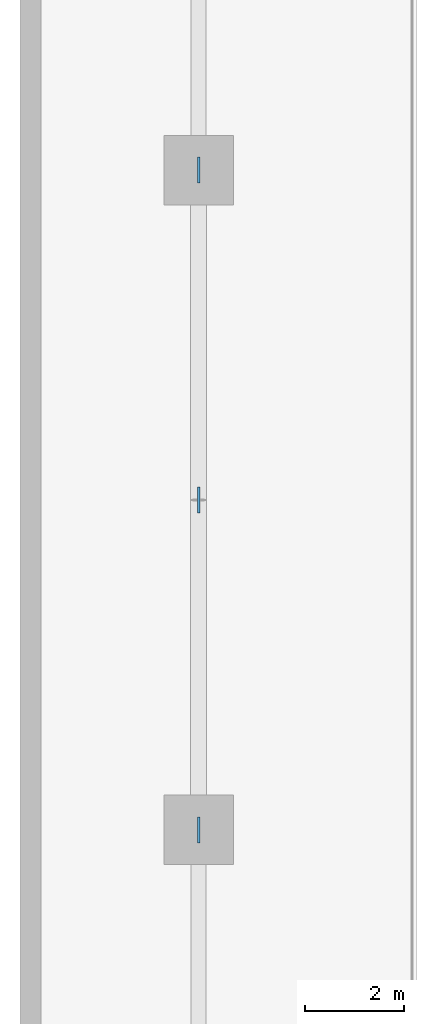
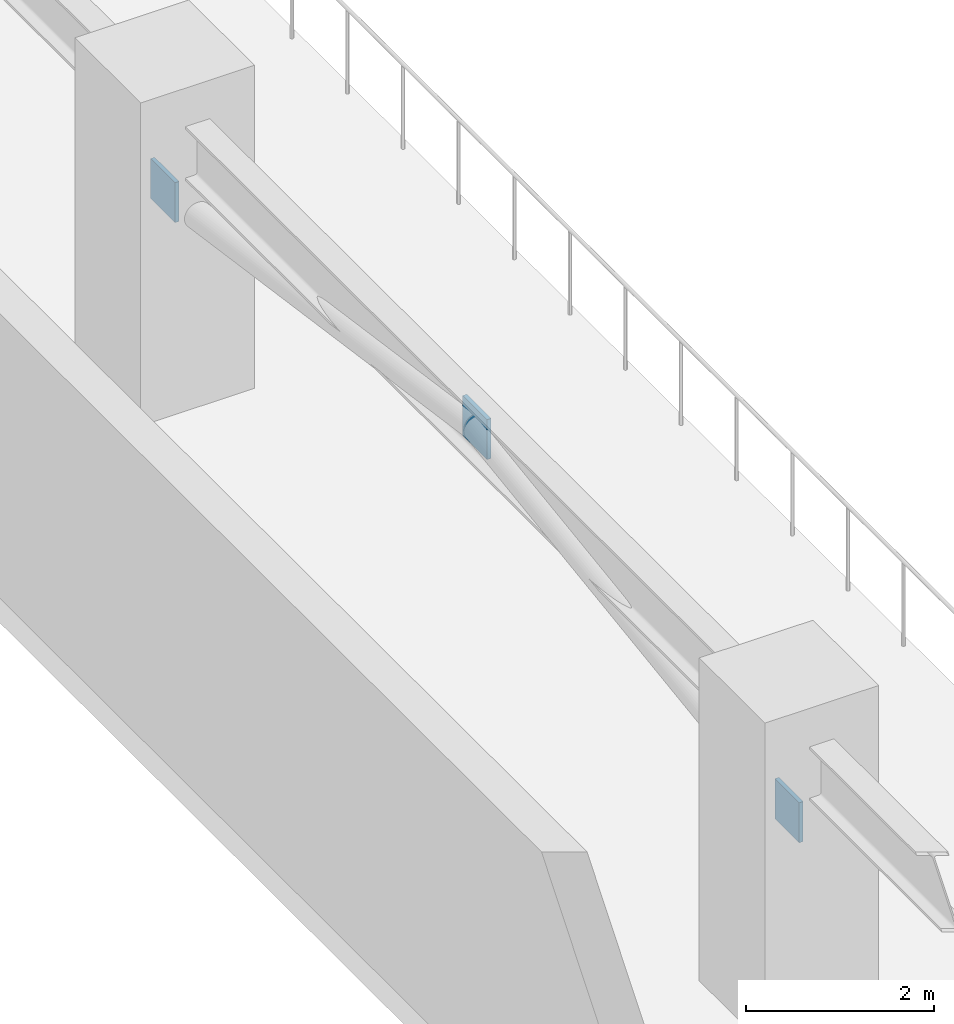
# One storey, part 16 of 20: 3 discrete accessories.
"""IFC4 building model written with IfcOpenShell, lengths in metres."""

from ifc_helpers import new_model, si_unit, direction, frame, origin, origin_2d, place, context, subcontext, project, spatial, rectangle, extrude, material, type_object, element, save


model = new_model("IFC4")

# Units and contexts
model_context = context("Model", 3, precision=1e-05, world=origin(), true_north=direction((0.0, 1.0)))
body_context = subcontext(model_context, "Body", "Model", "MODEL_VIEW")
ifc_project = project(units=[si_unit("LENGTHUNIT", "METRE"), si_unit("AREAUNIT", "SQUARE_METRE"), si_unit("VOLUMEUNIT", "CUBIC_METRE"), si_unit("PLANEANGLEUNIT", "RADIAN"), si_unit("MASSUNIT", "GRAM", prefix="KILO")], contexts=[model_context])

# Site, building, storey
site_placement = place(None, origin())
site = spatial("IfcSite", under=ifc_project, at=site_placement, CompositionType="ELEMENT")
building_placement = place(site_placement, origin())
building = spatial("IfcBuilding", under=site, at=building_placement, Name="Narakoshi Arena Tower", CompositionType="ELEMENT")
storey_placement = place(building_placement, frame((0.0, 0.0, 17.39990234375)))
storey = spatial("IfcBuildingStorey", under=building, at=storey_placement, Name="L04", CompositionType="ELEMENT", Elevation=17.39990234375)

# Discrete accessories
ifc_material = material(Name="Structural steel S460ML", Category="steel")
discrete_accessory_type = type_object("IfcDiscreteAccessoryType", Name="ACC-GUS-PLT", PredefinedType="BRACKET", material=ifc_material)
for number, where, z_axis, x_axis, name in (
    (1, (3.60009765625, 34.699951171875, 2.14013671875), (0.0, 0.0, 1.0), (0.0, 1.0, 0.0), "L04 Brace Node Gusset Plate 0037"),
    (2, (3.60009765625, 41.35009765625, 3.090087890625), (0.0, 0.0, 1.0), (0.0, 1.0, 0.0), "L04 Brace Node Gusset Plate 0038"),
    (3, (3.60009765625, 48.0, 2.14013671875), (0.0, 0.0, 1.0), (0.0, 1.0, 0.0), "L04 Brace Node Gusset Plate 0039"),
):
    element("IfcDiscreteAccessory", number, at=place(storey_placement, frame(where, z_axis=z_axis, x_axis=x_axis)), inside=storey, type_object=discrete_accessory_type, Name=name, PredefinedType="BRACKET", context=body_context, shape_type="SweptSolid", body=[
        extrude(rectangle(XDim=0.52001953125, YDim=0.050048828125, at=origin_2d()), origin(), (0.0, 0.0, 1.0), 0.52001953125),
    ])

save(model, "model.ifc")
